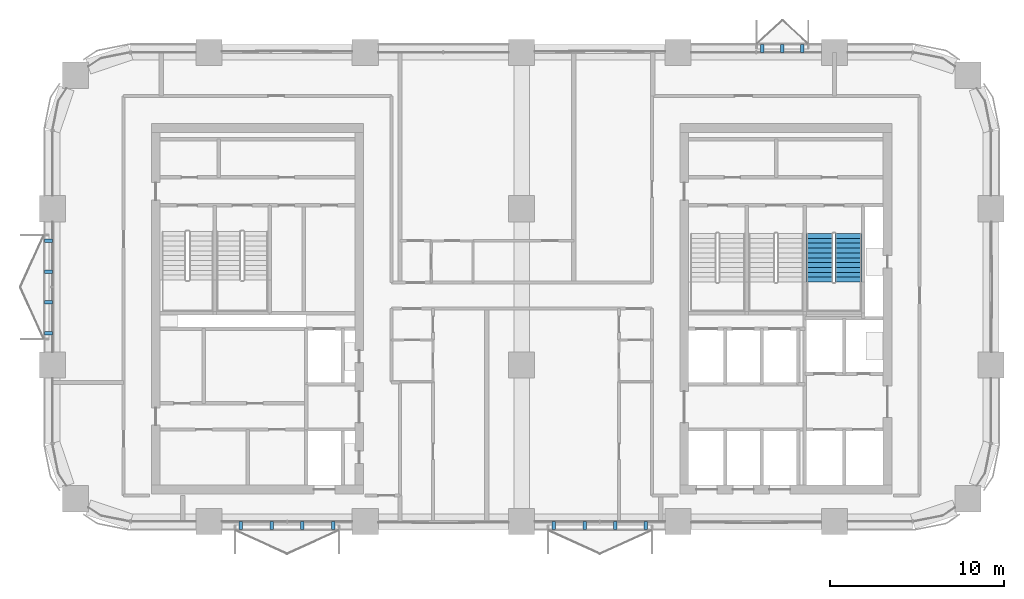
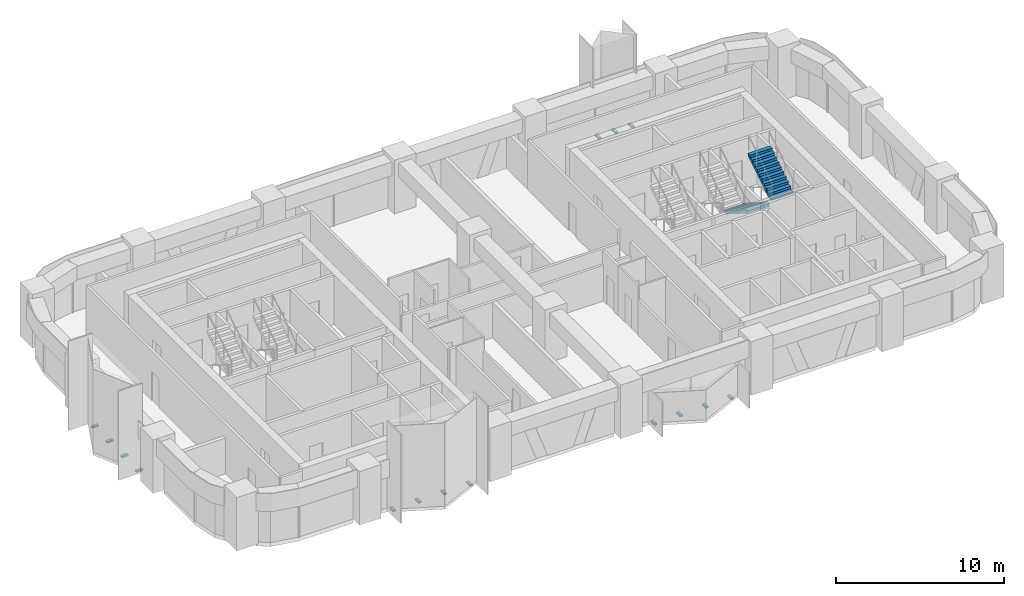
# One storey, part 12 of 14: 15 discrete accessories, 2 stair flights, 1 element without a shape of its own.
"""IFC4 building model written with IfcOpenShell, lengths in metres."""

from ifc_helpers import new_model, si_unit, direction, frame, origin, origin_2d, place, context, subcontext, project, spatial, polyline, rectangle, outline, extrude, material, type_object, element, aggregate, save


model = new_model("IFC4")

# Units and contexts
model_context = context("Model", 3, precision=1e-05, world=origin(), true_north=direction((0.0, 1.0)))
body_context = subcontext(model_context, "Body", "Model", "MODEL_VIEW")
ifc_project = project(units=[si_unit("LENGTHUNIT", "METRE"), si_unit("AREAUNIT", "SQUARE_METRE"), si_unit("VOLUMEUNIT", "CUBIC_METRE"), si_unit("PLANEANGLEUNIT", "RADIAN"), si_unit("MASSUNIT", "GRAM", prefix="KILO")], contexts=[model_context])

# Site, building, storey
site_placement = place(None, origin())
site = spatial("IfcSite", under=ifc_project, at=site_placement, CompositionType="ELEMENT")
building_placement = place(site_placement, origin())
building = spatial("IfcBuilding", under=site, at=building_placement, Name="Tessera Arch", CompositionType="ELEMENT")
storey_placement = place(building_placement, frame((0.0, 0.0, 142.699951171875)))
storey = spatial("IfcBuildingStorey", under=building, at=storey_placement, Name="L33", CompositionType="ELEMENT", Elevation=142.699951171875)

# Stair, stair flights
ifc_material_1 = material(Name="Concrete C40/50", Category="concrete")
stair_type = type_object("IfcStairType", Name="Dogleg stair 1520", PredefinedType="HALF_TURN_STAIR", material=ifc_material_1)
stair_placement = place(storey_placement, origin())
stair = element("IfcStair", 1, at=stair_placement, inside=storey, type_object=stair_type, Name="L33 S1c", PredefinedType="HALF_TURN_STAIR")
ifc_material_2 = material(Name="Concrete C40/50", Category="concrete")
stair_flight_type = type_object("IfcStairFlightType", Name="Stair flight 1520", PredefinedType="STRAIGHT", material=ifc_material_2)
stair_flight_1_placement = place(storey_placement, frame((44.159912109375, 43.580078125, 0.0), z_axis=(0.0, 0.0, 1.0), x_axis=(0.0, -1.0, 0.0)))
stair_flight_1 = element("IfcStairFlight", 2, at=stair_flight_1_placement, type_object=stair_flight_type, Name="S1c flight 1", NumberOfRisers=11, NumberOfTreads=10, PredefinedType="STRAIGHT", RiserHeight=0.177272727, TreadLength=0.28, context=body_context, shape_type="SweptSolid", body=[
    extrude(outline(polyline([(0.0, 0.0), (0.0, 0.17724609375), (0.280029296875, 0.17724609375), (0.280029296875, 0.3544921875), (0.56005859375, 0.3544921875), (0.56005859375, 0.53173828125), (0.840087890625, 0.53173828125), (0.840087890625, 0.708984375), (1.1201171875, 0.708984375), (1.1201171875, 0.886474609375), (1.39990234375, 0.886474609375), (1.39990234375, 1.063720703125), (1.679931640625, 1.063720703125), (1.679931640625, 1.240966796875), (1.9599609375, 1.240966796875), (1.9599609375, 1.418212890625), (2.239990234375, 1.418212890625), (2.239990234375, 1.595458984375), (2.52001953125, 1.595458984375), (2.52001953125, 1.772705078125), (2.800048828125, 1.772705078125), (2.800048828125, 1.949951171875), (2.800048828125, 1.59521484375), (0.2802734375, 0.0), (0.0, 0.0)])), frame((0.0, 0.760009765625, 0.0), z_axis=(0.0, -1.0, 0.0), x_axis=(1.0, 0.0, 0.0)), (0.0, 0.0, 1.0), 1.52001953125),
])
stair_flight_2_placement = place(storey_placement, frame((45.7900390625, 40.780029296875, 1.949951171875), z_axis=(0.0, 0.0, 1.0), x_axis=(0.0, 1.0, 0.0)))
stair_flight_2 = element("IfcStairFlight", 3, at=stair_flight_2_placement, type_object=stair_flight_type, Name="S1c flight 2", NumberOfRisers=11, NumberOfTreads=10, PredefinedType="STRAIGHT", RiserHeight=0.177272727, TreadLength=0.28, context=body_context, shape_type="SweptSolid", body=[
    extrude(outline(polyline([(0.0, 0.0), (0.0, 0.17724609375), (0.280029296875, 0.17724609375), (0.280029296875, 0.3544921875), (0.56005859375, 0.3544921875), (0.56005859375, 0.53173828125), (0.840087890625, 0.53173828125), (0.840087890625, 0.708984375), (1.1201171875, 0.708984375), (1.1201171875, 0.886474609375), (1.39990234375, 0.886474609375), (1.39990234375, 1.063720703125), (1.679931640625, 1.063720703125), (1.679931640625, 1.240966796875), (1.9599609375, 1.240966796875), (1.9599609375, 1.418212890625), (2.239990234375, 1.418212890625), (2.239990234375, 1.595458984375), (2.52001953125, 1.595458984375), (2.52001953125, 1.772705078125), (2.800048828125, 1.772705078125), (2.800048828125, 1.949951171875), (2.800048828125, 1.59521484375), (0.2802734375, 0.0), (0.0, 0.0)])), frame((0.0, 0.760009765625, 0.0), z_axis=(0.0, -1.0, 0.0), x_axis=(1.0, 0.0, 0.0)), (0.0, 0.0, 1.0), 1.52001953125),
])
aggregate(stair, [stair_flight_1, stair_flight_2])

# Discrete accessories
for number, where, z_axis, x_axis, name in (
    (4, (-0.219970703125, 43.14990234375, -0.1201171875), (0.0, 0.0, 1.0), (-1.0, 0.0, 0.0), "Window box bracket"),
    (5, (-0.219970703125, 41.38330078125, -0.1201171875), (0.0, 0.0, 1.0), (-1.0, 0.0, 0.0), "Window box bracket"),
    (6, (-0.219970703125, 39.61669921875, -0.1201171875), (0.0, 0.0, 1.0), (-1.0, 0.0, 0.0), "Window box bracket"),
    (7, (-0.219970703125, 37.85009765625, -0.1201171875), (0.0, 0.0, 1.0), (-1.0, 0.0, 0.0), "Window box bracket"),
    (8, (10.85009765625, 26.780029296875, -0.1201171875), (0.0, 0.0, 1.0), (0.0, -1.0, 0.0), "Window box bracket"),
    (9, (12.61669921875, 26.780029296875, -0.1201171875), (0.0, 0.0, 1.0), (0.0, -1.0, 0.0), "Window box bracket"),
    (10, (14.38330078125, 26.780029296875, -0.1201171875), (0.0, 0.0, 1.0), (0.0, -1.0, 0.0), "Window box bracket"),
    (11, (16.14990234375, 26.780029296875, -0.1201171875), (0.0, 0.0, 1.0), (0.0, -1.0, 0.0), "Window box bracket"),
    (12, (28.85009765625, 26.780029296875, -0.1201171875), (0.0, 0.0, 1.0), (0.0, -1.0, 0.0), "Window box bracket"),
    (13, (30.61669921875, 26.780029296875, -0.1201171875), (0.0, 0.0, 1.0), (0.0, -1.0, 0.0), "Window box bracket"),
    (14, (32.38330078125, 26.780029296875, -0.1201171875), (0.0, 0.0, 1.0), (0.0, -1.0, 0.0), "Window box bracket"),
    (15, (34.14990234375, 26.780029296875, -0.1201171875), (0.0, 0.0, 1.0), (0.0, -1.0, 0.0), "Window box bracket"),
    (16, (43.14990234375, 54.219970703125, -0.1201171875), (0.0, 0.0, 1.0), (0.0, 1.0, 0.0), "Window box bracket"),
    (17, (42.0, 54.219970703125, -0.1201171875), (0.0, 0.0, 1.0), (0.0, 1.0, 0.0), "Window box bracket"),
    (18, (40.85009765625, 54.219970703125, -0.1201171875), (0.0, 0.0, 1.0), (0.0, 1.0, 0.0), "Window box bracket"),
):
    element("IfcDiscreteAccessory", number, at=place(storey_placement, frame(where, z_axis=z_axis, x_axis=x_axis)), inside=storey, Name=name, PredefinedType="BRACKET", context=body_context, shape_type="SweptSolid", body=[
        extrude(rectangle(XDim=0.43994140625, YDim=0.199951171875, at=origin_2d()), origin(), (0.0, 0.0, 1.0), 0.1201171875),
    ])

save(model, "model.ifc")
